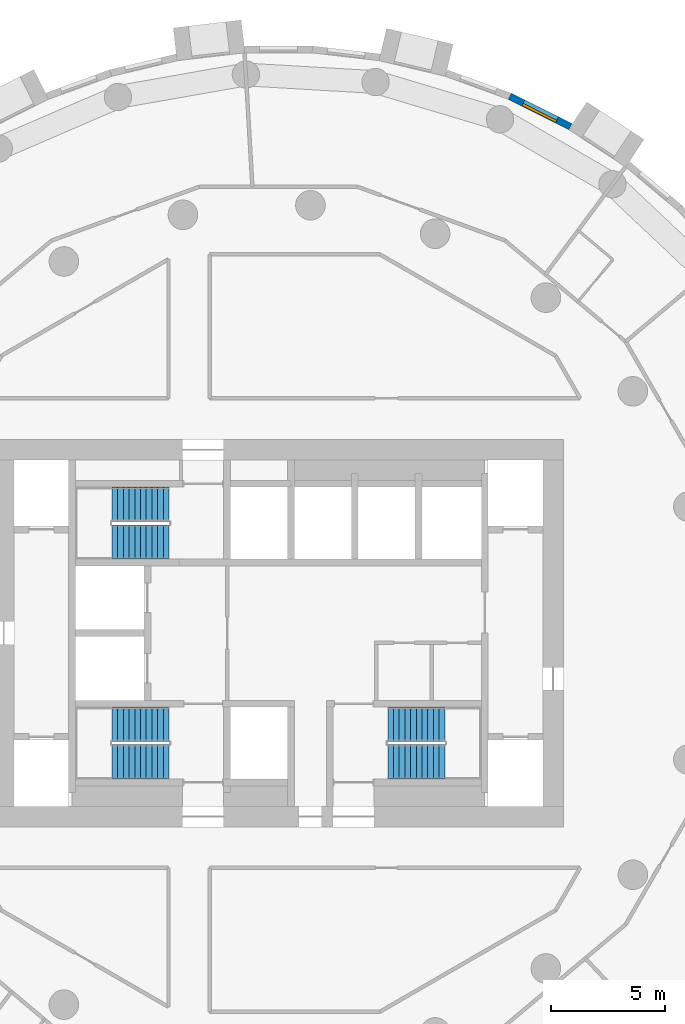
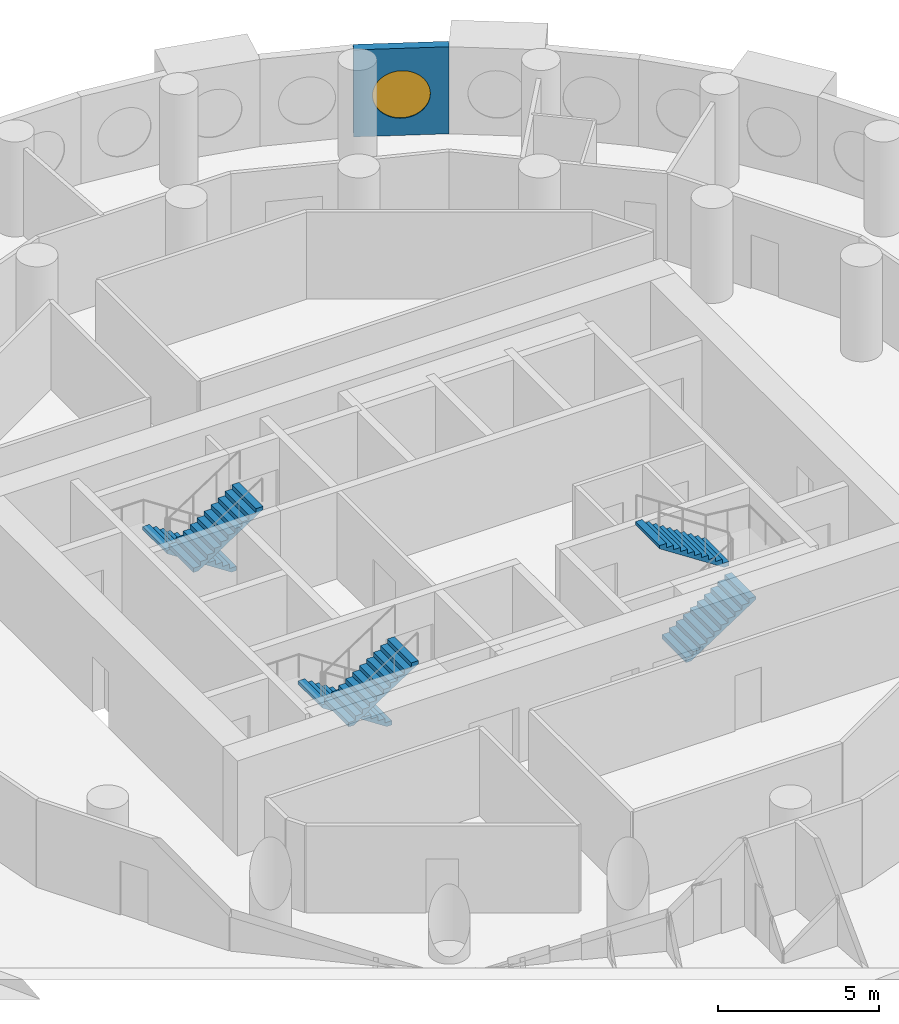
# One storey, part 8 of 9: 6 stair flights, 1 wall, 1 window, 1 opening, 3 elements without a shape of their own.
"""IFC4 building model written with IfcOpenShell, lengths in metres."""

from ifc_helpers import new_model, si_unit, direction, frame, frame_2d, origin, origin_2d, place, context, subcontext, project, spatial, polyline, rectangle, circle, outline, extrude, material, layer, layer_set, type_object, element, fill, aggregate, save


model = new_model("IFC4")

# Units and contexts
model_context = context("Model", 3, precision=1e-05, world=origin(), true_north=direction((0.0, 1.0)))
body_context = subcontext(model_context, "Body", "Model", "MODEL_VIEW")
ifc_project = project(units=[si_unit("LENGTHUNIT", "METRE"), si_unit("AREAUNIT", "SQUARE_METRE"), si_unit("VOLUMEUNIT", "CUBIC_METRE"), si_unit("PLANEANGLEUNIT", "RADIAN"), si_unit("MASSUNIT", "GRAM", prefix="KILO")], contexts=[model_context])

# Site, building, storey
site_placement = place(None, origin())
site = spatial("IfcSite", under=ifc_project, at=site_placement, CompositionType="ELEMENT")
building_placement = place(site_placement, origin())
building = spatial("IfcBuilding", under=site, at=building_placement, Name="Tracery Tower", CompositionType="ELEMENT")
storey_placement = place(building_placement, frame((0.0, 0.0, 187.199951171875)))
storey = spatial("IfcBuildingStorey", under=building, at=storey_placement, Name="L48", CompositionType="ELEMENT", Elevation=187.199951171875)

# Wall, opening, window
ifc_material_1 = material(Name="Precast concrete C50/60", Category="concrete")
ifc_layer = layer(ifc_material_1, 0.300048828125)
ifc_layer_set = layer_set([ifc_layer], Name="Facade panel 3000 x 3300")
wall_type = type_object("IfcWallType", Name="Facade panel 3000 x 3300", PredefinedType="SOLIDWALL", material=ifc_layer_set)
wall_placement = place(storey_placement, frame((12.815185546875, 22.215576171875, 0.0), z_axis=(0.0, 0.0, 1.0), x_axis=(-0.893637442555, 0.448789618045, 0.0)))
wall = element("IfcWall", 1, at=wall_placement, inside=storey, type_object=wall_type, Name="Facade panel 10 at L48", PredefinedType="SOLIDWALL", context=body_context, shape_type="SweptSolid", body=[
    extrude(rectangle(XDim=2.972900390625, YDim=0.300048828125, at=frame_2d((1.486328125, 0.0))), origin(), (0.0, 0.0, 1.0), 3.300048828125),
])
opening_placement = place(wall_placement, frame((1.486328125, 0.0, 1.5498046875)))
opening = element("IfcOpeningElement", 2, at=opening_placement, cuts=wall, Name="Opening WN1", PredefinedType="OPENING", context=body_context, shape_type="SweptSolid", body=[
    extrude(circle(Radius=0.9000244140625, at=origin_2d()), frame((0.0, 0.159912109375, 0.0), z_axis=(0.0, -1.0, 0.0), x_axis=(1.0, 0.0, 0.0)), (0.0, 0.0, 1.0), 0.320068359375),
])
ifc_material_2 = material(Name="Aluminium frame with tinted double glazing", Category="aluminium")
window_type = type_object("IfcWindowType", Name="Round window 1800", PartitioningType="SINGLE_PANEL", PredefinedType="WINDOW", material=ifc_material_2)
window_placement = place(opening_placement, origin())
window = element("IfcWindow", 3, at=window_placement, inside=storey, type_object=window_type, Name="Round window 10 at L48", OverallHeight=1.800048828125, OverallWidth=1.800048828125, PartitioningType="SINGLE_PANEL", PredefinedType="WINDOW", context=body_context, shape_type="SweptSolid", body=[
    extrude(circle(Radius=0.9000244140625, at=origin_2d()), frame((0.0, 0.1201171875, 0.0), z_axis=(0.0, -1.0, 0.0), x_axis=(1.0, 0.0, 0.0)), (0.0, 0.0, 1.0), 0.10009765625),
])
fill(opening, window)

# Stair, stair flights
ifc_material_3 = material(Name="Concrete C32/40", Category="concrete")
stair_type = type_object("IfcStairType", Name="Core stair 22 risers", PredefinedType="HALF_TURN_STAIR", material=ifc_material_3)
stair_1_placement = place(storey_placement, origin())
stair_1 = element("IfcStair", 4, at=stair_1_placement, inside=storey, type_object=stair_type, Name="L48 stair ST1", PredefinedType="HALF_TURN_STAIR")
ifc_material_4 = material(Name="Concrete C32/40", Category="concrete")
stair_flight_type = type_object("IfcStairFlightType", Name="Core stair flight 11 risers", PredefinedType="STRAIGHT", material=ifc_material_4)
stair_flight_1_placement = place(storey_placement, frame((-4.800048828125, -4.0, 0.0), z_axis=(0.0, 0.0, 1.0), x_axis=(-1.0, 0.0, 0.0)))
stair_flight_1 = element("IfcStairFlight", 5, at=stair_flight_1_placement, type_object=stair_flight_type, Name="ST1 flight 1", NumberOfRisers=11, NumberOfTreads=10, PredefinedType="STRAIGHT", RiserHeight=0.163636364, TreadLength=0.25, context=body_context, shape_type="SweptSolid", body=[
    extrude(outline(polyline([(0.0, 0.0), (0.0, 0.002685546875), (0.0, 0.00537109375), (0.0, 0.008056640625), (0.0, 0.0107421875), (0.0, 0.013427734375), (0.0, 0.01611328125), (0.0, 0.018798828125), (0.0, 0.021484375), (0.0, 0.024169921875), (0.0, 0.02685546875), (0.0, 0.029541015625), (0.0, 0.0322265625), (0.0, 0.034912109375), (0.0, 0.03759765625), (0.0, 0.040283203125), (0.0, 0.04296875), (0.0, 0.045654296875), (0.0, 0.04833984375), (0.0, 0.051025390625), (0.0, 0.0537109375), (0.0, 0.056396484375), (0.0, 0.05908203125), (0.0, 0.061767578125), (0.0, 0.064453125), (0.0, 0.067138671875), (0.0, 0.06982421875), (0.0, 0.072509765625), (0.0, 0.0751953125), (0.0, 0.077880859375), (0.0, 0.08056640625), (0.0, 0.083251953125), (0.0, 0.0859375), (0.0, 0.088623046875), (0.0, 0.09130859375), (0.0, 0.093994140625), (0.0, 0.0966796875), (0.0, 0.099365234375), (0.0, 0.10205078125), (0.0, 0.104736328125), (0.0, 0.107421875), (0.0, 0.10986328125), (0.0, 0.112548828125), (0.0, 0.115234375), (0.0, 0.117919921875), (0.0, 0.12060546875), (0.0, 0.123291015625), (0.0, 0.1259765625), (0.0, 0.128662109375), (0.0, 0.13134765625), (0.0, 0.134033203125), (0.0, 0.13671875), (0.0, 0.139404296875), (0.0, 0.14208984375), (0.0, 0.144775390625), (0.0, 0.1474609375), (0.0, 0.150146484375), (0.0, 0.15283203125), (0.0, 0.155517578125), (0.0, 0.158203125), (0.0, 0.160888671875), (0.0, 0.16357421875), (0.25, 0.16357421875), (0.25, 0.327392578125), (0.5, 0.327392578125), (0.5, 0.490966796875), (0.75, 0.490966796875), (0.75, 0.654541015625), (1.0, 0.654541015625), (1.0, 0.818115234375), (1.25, 0.818115234375), (1.25, 0.98193359375), (1.5, 0.98193359375), (1.5, 1.1455078125), (1.75, 1.1455078125), (1.75, 1.30908203125), (2.0, 1.30908203125), (2.0, 1.47265625), (2.25, 1.47265625), (2.25, 1.636474609375), (2.5, 1.636474609375), (2.5, 1.634521484375), (2.5, 1.63232421875), (2.5, 1.63037109375), (2.5, 1.62841796875), (2.5, 1.62646484375), (2.5, 1.62451171875), (2.5, 1.62255859375), (2.5, 1.62060546875), (2.5, 1.61865234375), (2.5, 1.61669921875), (2.5, 1.61474609375), (2.5, 1.61279296875), (2.5, 1.61083984375), (2.5, 1.60888671875), (2.5, 1.60693359375), (2.5, 1.60498046875), (2.5, 1.60302734375), (2.5, 1.60107421875), (2.5, 1.59912109375), (2.5, 1.59716796875), (2.5, 1.59521484375), (2.5, 1.59326171875), (2.5, 1.59130859375), (2.5, 1.58935546875), (2.5, 1.58740234375), (2.5, 1.58544921875), (2.5, 1.58349609375), (2.5, 1.58154296875), (2.5, 1.57958984375), (2.5, 1.57763671875), (2.5, 1.57568359375), (2.5, 1.573486328125), (2.5, 1.571533203125), (2.5, 1.569580078125), (2.5, 1.567626953125), (2.5, 1.565673828125), (2.5, 1.563720703125), (2.5, 1.561767578125), (2.5, 1.559814453125), (2.5, 1.557861328125), (2.5, 1.555908203125), (2.5, 1.553955078125), (2.5, 1.552001953125), (2.5, 1.550048828125), (2.5, 1.548095703125), (2.5, 1.546142578125), (2.5, 1.544189453125), (2.5, 1.542236328125), (2.5, 1.540283203125), (2.5, 1.538330078125), (2.5, 1.536376953125), (2.5, 1.534423828125), (2.5, 1.532470703125), (2.5, 1.530517578125), (2.5, 1.528564453125), (2.5, 1.526611328125), (2.5, 1.524658203125), (2.5, 1.522705078125), (2.5, 1.520751953125), (2.5, 1.518798828125), (2.5, 1.516845703125), (0.182861328125, 0.0), (0.0, 0.0)])), frame((0.0, 0.75, 0.0), z_axis=(0.0, -1.0, 0.0), x_axis=(1.0, 0.0, 0.0)), (0.0, 0.0, 1.0), 1.5),
])
stair_flight_2_placement = place(storey_placement, frame((-7.300048828125, -5.64990234375, 1.800048828125), z_axis=(0.0, 0.0, 1.0), x_axis=(1.0, 0.0, 0.0)))
stair_flight_2 = element("IfcStairFlight", 6, at=stair_flight_2_placement, type_object=stair_flight_type, Name="ST1 flight 2", NumberOfRisers=11, NumberOfTreads=10, PredefinedType="STRAIGHT", RiserHeight=0.163636364, TreadLength=0.25, context=body_context, shape_type="SweptSolid", body=[
    extrude(outline(polyline([(0.0, 0.0), (0.0, 0.002685546875), (0.0, 0.00537109375), (0.0, 0.008056640625), (0.0, 0.0107421875), (0.0, 0.013427734375), (0.0, 0.01611328125), (0.0, 0.018798828125), (0.0, 0.021484375), (0.0, 0.024169921875), (0.0, 0.02685546875), (0.0, 0.029541015625), (0.0, 0.0322265625), (0.0, 0.034912109375), (0.0, 0.03759765625), (0.0, 0.040283203125), (0.0, 0.04296875), (0.0, 0.045654296875), (0.0, 0.04833984375), (0.0, 0.051025390625), (0.0, 0.0537109375), (0.0, 0.056396484375), (0.0, 0.05908203125), (0.0, 0.061767578125), (0.0, 0.064453125), (0.0, 0.067138671875), (0.0, 0.06982421875), (0.0, 0.072509765625), (0.0, 0.0751953125), (0.0, 0.077880859375), (0.0, 0.08056640625), (0.0, 0.083251953125), (0.0, 0.0859375), (0.0, 0.088623046875), (0.0, 0.09130859375), (0.0, 0.093994140625), (0.0, 0.0966796875), (0.0, 0.099365234375), (0.0, 0.10205078125), (0.0, 0.104736328125), (0.0, 0.107421875), (0.0, 0.10986328125), (0.0, 0.112548828125), (0.0, 0.115234375), (0.0, 0.117919921875), (0.0, 0.12060546875), (0.0, 0.123291015625), (0.0, 0.1259765625), (0.0, 0.128662109375), (0.0, 0.13134765625), (0.0, 0.134033203125), (0.0, 0.13671875), (0.0, 0.139404296875), (0.0, 0.14208984375), (0.0, 0.144775390625), (0.0, 0.1474609375), (0.0, 0.150146484375), (0.0, 0.15283203125), (0.0, 0.155517578125), (0.0, 0.158203125), (0.0, 0.160888671875), (0.0, 0.16357421875), (0.25, 0.16357421875), (0.25, 0.327392578125), (0.5, 0.327392578125), (0.5, 0.490966796875), (0.75, 0.490966796875), (0.75, 0.654541015625), (1.0, 0.654541015625), (1.0, 0.818115234375), (1.25, 0.818115234375), (1.25, 0.98193359375), (1.5, 0.98193359375), (1.5, 1.1455078125), (1.75, 1.1455078125), (1.75, 1.30908203125), (2.0, 1.30908203125), (2.0, 1.47265625), (2.25, 1.47265625), (2.25, 1.636474609375), (2.5, 1.636474609375), (2.5, 1.634521484375), (2.5, 1.63232421875), (2.5, 1.63037109375), (2.5, 1.62841796875), (2.5, 1.62646484375), (2.5, 1.62451171875), (2.5, 1.62255859375), (2.5, 1.62060546875), (2.5, 1.61865234375), (2.5, 1.61669921875), (2.5, 1.61474609375), (2.5, 1.61279296875), (2.5, 1.61083984375), (2.5, 1.60888671875), (2.5, 1.60693359375), (2.5, 1.60498046875), (2.5, 1.60302734375), (2.5, 1.60107421875), (2.5, 1.59912109375), (2.5, 1.59716796875), (2.5, 1.59521484375), (2.5, 1.59326171875), (2.5, 1.59130859375), (2.5, 1.58935546875), (2.5, 1.58740234375), (2.5, 1.58544921875), (2.5, 1.58349609375), (2.5, 1.58154296875), (2.5, 1.57958984375), (2.5, 1.57763671875), (2.5, 1.57568359375), (2.5, 1.573486328125), (2.5, 1.571533203125), (2.5, 1.569580078125), (2.5, 1.567626953125), (2.5, 1.565673828125), (2.5, 1.563720703125), (2.5, 1.561767578125), (2.5, 1.559814453125), (2.5, 1.557861328125), (2.5, 1.555908203125), (2.5, 1.553955078125), (2.5, 1.552001953125), (2.5, 1.550048828125), (2.5, 1.548095703125), (2.5, 1.546142578125), (2.5, 1.544189453125), (2.5, 1.542236328125), (2.5, 1.540283203125), (2.5, 1.538330078125), (2.5, 1.536376953125), (2.5, 1.534423828125), (2.5, 1.532470703125), (2.5, 1.530517578125), (2.5, 1.528564453125), (2.5, 1.526611328125), (2.5, 1.524658203125), (2.5, 1.522705078125), (2.5, 1.520751953125), (2.5, 1.518798828125), (2.5, 1.516845703125), (0.182861328125, 0.0), (0.0, 0.0)])), frame((0.0, 0.75, 0.0), z_axis=(0.0, -1.0, 0.0), x_axis=(1.0, 0.0, 0.0)), (0.0, 0.0, 1.0), 1.5),
])
aggregate(stair_1, [stair_flight_1, stair_flight_2])

stair_2_placement = place(storey_placement, origin())
stair_2 = element("IfcStair", 7, at=stair_2_placement, inside=storey, type_object=stair_type, Name="L48 stair ST3", PredefinedType="HALF_TURN_STAIR")
stair_flight_3_placement = place(storey_placement, frame((-4.800048828125, 5.64990234375, 0.0), z_axis=(0.0, 0.0, 1.0), x_axis=(-1.0, 0.0, 0.0)))
stair_flight_3 = element("IfcStairFlight", 8, at=stair_flight_3_placement, type_object=stair_flight_type, Name="ST3 flight 1", NumberOfRisers=11, NumberOfTreads=10, PredefinedType="STRAIGHT", RiserHeight=0.163636364, TreadLength=0.25, context=body_context, shape_type="SweptSolid", body=[
    extrude(outline(polyline([(0.0, 0.0), (0.0, 0.002685546875), (0.0, 0.00537109375), (0.0, 0.008056640625), (0.0, 0.0107421875), (0.0, 0.013427734375), (0.0, 0.01611328125), (0.0, 0.018798828125), (0.0, 0.021484375), (0.0, 0.024169921875), (0.0, 0.02685546875), (0.0, 0.029541015625), (0.0, 0.0322265625), (0.0, 0.034912109375), (0.0, 0.03759765625), (0.0, 0.040283203125), (0.0, 0.04296875), (0.0, 0.045654296875), (0.0, 0.04833984375), (0.0, 0.051025390625), (0.0, 0.0537109375), (0.0, 0.056396484375), (0.0, 0.05908203125), (0.0, 0.061767578125), (0.0, 0.064453125), (0.0, 0.067138671875), (0.0, 0.06982421875), (0.0, 0.072509765625), (0.0, 0.0751953125), (0.0, 0.077880859375), (0.0, 0.08056640625), (0.0, 0.083251953125), (0.0, 0.0859375), (0.0, 0.088623046875), (0.0, 0.09130859375), (0.0, 0.093994140625), (0.0, 0.0966796875), (0.0, 0.099365234375), (0.0, 0.10205078125), (0.0, 0.104736328125), (0.0, 0.107421875), (0.0, 0.10986328125), (0.0, 0.112548828125), (0.0, 0.115234375), (0.0, 0.117919921875), (0.0, 0.12060546875), (0.0, 0.123291015625), (0.0, 0.1259765625), (0.0, 0.128662109375), (0.0, 0.13134765625), (0.0, 0.134033203125), (0.0, 0.13671875), (0.0, 0.139404296875), (0.0, 0.14208984375), (0.0, 0.144775390625), (0.0, 0.1474609375), (0.0, 0.150146484375), (0.0, 0.15283203125), (0.0, 0.155517578125), (0.0, 0.158203125), (0.0, 0.160888671875), (0.0, 0.16357421875), (0.25, 0.16357421875), (0.25, 0.327392578125), (0.5, 0.327392578125), (0.5, 0.490966796875), (0.75, 0.490966796875), (0.75, 0.654541015625), (1.0, 0.654541015625), (1.0, 0.818115234375), (1.25, 0.818115234375), (1.25, 0.98193359375), (1.5, 0.98193359375), (1.5, 1.1455078125), (1.75, 1.1455078125), (1.75, 1.30908203125), (2.0, 1.30908203125), (2.0, 1.47265625), (2.25, 1.47265625), (2.25, 1.636474609375), (2.5, 1.636474609375), (2.5, 1.634521484375), (2.5, 1.63232421875), (2.5, 1.63037109375), (2.5, 1.62841796875), (2.5, 1.62646484375), (2.5, 1.62451171875), (2.5, 1.62255859375), (2.5, 1.62060546875), (2.5, 1.61865234375), (2.5, 1.61669921875), (2.5, 1.61474609375), (2.5, 1.61279296875), (2.5, 1.61083984375), (2.5, 1.60888671875), (2.5, 1.60693359375), (2.5, 1.60498046875), (2.5, 1.60302734375), (2.5, 1.60107421875), (2.5, 1.59912109375), (2.5, 1.59716796875), (2.5, 1.59521484375), (2.5, 1.59326171875), (2.5, 1.59130859375), (2.5, 1.58935546875), (2.5, 1.58740234375), (2.5, 1.58544921875), (2.5, 1.58349609375), (2.5, 1.58154296875), (2.5, 1.57958984375), (2.5, 1.57763671875), (2.5, 1.57568359375), (2.5, 1.573486328125), (2.5, 1.571533203125), (2.5, 1.569580078125), (2.5, 1.567626953125), (2.5, 1.565673828125), (2.5, 1.563720703125), (2.5, 1.561767578125), (2.5, 1.559814453125), (2.5, 1.557861328125), (2.5, 1.555908203125), (2.5, 1.553955078125), (2.5, 1.552001953125), (2.5, 1.550048828125), (2.5, 1.548095703125), (2.5, 1.546142578125), (2.5, 1.544189453125), (2.5, 1.542236328125), (2.5, 1.540283203125), (2.5, 1.538330078125), (2.5, 1.536376953125), (2.5, 1.534423828125), (2.5, 1.532470703125), (2.5, 1.530517578125), (2.5, 1.528564453125), (2.5, 1.526611328125), (2.5, 1.524658203125), (2.5, 1.522705078125), (2.5, 1.520751953125), (2.5, 1.518798828125), (2.5, 1.516845703125), (0.182861328125, 0.0), (0.0, 0.0)])), frame((0.0, 0.75, 0.0), z_axis=(0.0, -1.0, 0.0), x_axis=(1.0, 0.0, 0.0)), (0.0, 0.0, 1.0), 1.5),
])
stair_flight_4_placement = place(storey_placement, frame((-7.300048828125, 4.0, 1.800048828125), z_axis=(0.0, 0.0, 1.0), x_axis=(1.0, 0.0, 0.0)))
stair_flight_4 = element("IfcStairFlight", 9, at=stair_flight_4_placement, type_object=stair_flight_type, Name="ST3 flight 2", NumberOfRisers=11, NumberOfTreads=10, PredefinedType="STRAIGHT", RiserHeight=0.163636364, TreadLength=0.25, context=body_context, shape_type="SweptSolid", body=[
    extrude(outline(polyline([(0.0, 0.0), (0.0, 0.002685546875), (0.0, 0.00537109375), (0.0, 0.008056640625), (0.0, 0.0107421875), (0.0, 0.013427734375), (0.0, 0.01611328125), (0.0, 0.018798828125), (0.0, 0.021484375), (0.0, 0.024169921875), (0.0, 0.02685546875), (0.0, 0.029541015625), (0.0, 0.0322265625), (0.0, 0.034912109375), (0.0, 0.03759765625), (0.0, 0.040283203125), (0.0, 0.04296875), (0.0, 0.045654296875), (0.0, 0.04833984375), (0.0, 0.051025390625), (0.0, 0.0537109375), (0.0, 0.056396484375), (0.0, 0.05908203125), (0.0, 0.061767578125), (0.0, 0.064453125), (0.0, 0.067138671875), (0.0, 0.06982421875), (0.0, 0.072509765625), (0.0, 0.0751953125), (0.0, 0.077880859375), (0.0, 0.08056640625), (0.0, 0.083251953125), (0.0, 0.0859375), (0.0, 0.088623046875), (0.0, 0.09130859375), (0.0, 0.093994140625), (0.0, 0.0966796875), (0.0, 0.099365234375), (0.0, 0.10205078125), (0.0, 0.104736328125), (0.0, 0.107421875), (0.0, 0.10986328125), (0.0, 0.112548828125), (0.0, 0.115234375), (0.0, 0.117919921875), (0.0, 0.12060546875), (0.0, 0.123291015625), (0.0, 0.1259765625), (0.0, 0.128662109375), (0.0, 0.13134765625), (0.0, 0.134033203125), (0.0, 0.13671875), (0.0, 0.139404296875), (0.0, 0.14208984375), (0.0, 0.144775390625), (0.0, 0.1474609375), (0.0, 0.150146484375), (0.0, 0.15283203125), (0.0, 0.155517578125), (0.0, 0.158203125), (0.0, 0.160888671875), (0.0, 0.16357421875), (0.25, 0.16357421875), (0.25, 0.327392578125), (0.5, 0.327392578125), (0.5, 0.490966796875), (0.75, 0.490966796875), (0.75, 0.654541015625), (1.0, 0.654541015625), (1.0, 0.818115234375), (1.25, 0.818115234375), (1.25, 0.98193359375), (1.5, 0.98193359375), (1.5, 1.1455078125), (1.75, 1.1455078125), (1.75, 1.30908203125), (2.0, 1.30908203125), (2.0, 1.47265625), (2.25, 1.47265625), (2.25, 1.636474609375), (2.5, 1.636474609375), (2.5, 1.634521484375), (2.5, 1.63232421875), (2.5, 1.63037109375), (2.5, 1.62841796875), (2.5, 1.62646484375), (2.5, 1.62451171875), (2.5, 1.62255859375), (2.5, 1.62060546875), (2.5, 1.61865234375), (2.5, 1.61669921875), (2.5, 1.61474609375), (2.5, 1.61279296875), (2.5, 1.61083984375), (2.5, 1.60888671875), (2.5, 1.60693359375), (2.5, 1.60498046875), (2.5, 1.60302734375), (2.5, 1.60107421875), (2.5, 1.59912109375), (2.5, 1.59716796875), (2.5, 1.59521484375), (2.5, 1.59326171875), (2.5, 1.59130859375), (2.5, 1.58935546875), (2.5, 1.58740234375), (2.5, 1.58544921875), (2.5, 1.58349609375), (2.5, 1.58154296875), (2.5, 1.57958984375), (2.5, 1.57763671875), (2.5, 1.57568359375), (2.5, 1.573486328125), (2.5, 1.571533203125), (2.5, 1.569580078125), (2.5, 1.567626953125), (2.5, 1.565673828125), (2.5, 1.563720703125), (2.5, 1.561767578125), (2.5, 1.559814453125), (2.5, 1.557861328125), (2.5, 1.555908203125), (2.5, 1.553955078125), (2.5, 1.552001953125), (2.5, 1.550048828125), (2.5, 1.548095703125), (2.5, 1.546142578125), (2.5, 1.544189453125), (2.5, 1.542236328125), (2.5, 1.540283203125), (2.5, 1.538330078125), (2.5, 1.536376953125), (2.5, 1.534423828125), (2.5, 1.532470703125), (2.5, 1.530517578125), (2.5, 1.528564453125), (2.5, 1.526611328125), (2.5, 1.524658203125), (2.5, 1.522705078125), (2.5, 1.520751953125), (2.5, 1.518798828125), (2.5, 1.516845703125), (0.182861328125, 0.0), (0.0, 0.0)])), frame((0.0, 0.75, 0.0), z_axis=(0.0, -1.0, 0.0), x_axis=(1.0, 0.0, 0.0)), (0.0, 0.0, 1.0), 1.5),
])
aggregate(stair_2, [stair_flight_3, stair_flight_4])

stair_3_placement = place(storey_placement, origin())
stair_3 = element("IfcStair", 10, at=stair_3_placement, inside=storey, type_object=stair_type, Name="L48 stair ST2", PredefinedType="HALF_TURN_STAIR")
stair_flight_5_placement = place(storey_placement, frame((4.800048828125, -5.64990234375, 0.0), z_axis=(0.0, 0.0, 1.0), x_axis=(1.0, 0.0, 0.0)))
stair_flight_5 = element("IfcStairFlight", 11, at=stair_flight_5_placement, type_object=stair_flight_type, Name="ST2 flight 1", NumberOfRisers=11, NumberOfTreads=10, PredefinedType="STRAIGHT", RiserHeight=0.163636364, TreadLength=0.25, context=body_context, shape_type="SweptSolid", body=[
    extrude(outline(polyline([(0.0, 0.0), (0.0, 0.002685546875), (0.0, 0.00537109375), (0.0, 0.008056640625), (0.0, 0.0107421875), (0.0, 0.013427734375), (0.0, 0.01611328125), (0.0, 0.018798828125), (0.0, 0.021484375), (0.0, 0.024169921875), (0.0, 0.02685546875), (0.0, 0.029541015625), (0.0, 0.0322265625), (0.0, 0.034912109375), (0.0, 0.03759765625), (0.0, 0.040283203125), (0.0, 0.04296875), (0.0, 0.045654296875), (0.0, 0.04833984375), (0.0, 0.051025390625), (0.0, 0.0537109375), (0.0, 0.056396484375), (0.0, 0.05908203125), (0.0, 0.061767578125), (0.0, 0.064453125), (0.0, 0.067138671875), (0.0, 0.06982421875), (0.0, 0.072509765625), (0.0, 0.0751953125), (0.0, 0.077880859375), (0.0, 0.08056640625), (0.0, 0.083251953125), (0.0, 0.0859375), (0.0, 0.088623046875), (0.0, 0.09130859375), (0.0, 0.093994140625), (0.0, 0.0966796875), (0.0, 0.099365234375), (0.0, 0.10205078125), (0.0, 0.104736328125), (0.0, 0.107421875), (0.0, 0.10986328125), (0.0, 0.112548828125), (0.0, 0.115234375), (0.0, 0.117919921875), (0.0, 0.12060546875), (0.0, 0.123291015625), (0.0, 0.1259765625), (0.0, 0.128662109375), (0.0, 0.13134765625), (0.0, 0.134033203125), (0.0, 0.13671875), (0.0, 0.139404296875), (0.0, 0.14208984375), (0.0, 0.144775390625), (0.0, 0.1474609375), (0.0, 0.150146484375), (0.0, 0.15283203125), (0.0, 0.155517578125), (0.0, 0.158203125), (0.0, 0.160888671875), (0.0, 0.16357421875), (0.25, 0.16357421875), (0.25, 0.327392578125), (0.5, 0.327392578125), (0.5, 0.490966796875), (0.75, 0.490966796875), (0.75, 0.654541015625), (1.0, 0.654541015625), (1.0, 0.818115234375), (1.25, 0.818115234375), (1.25, 0.98193359375), (1.5, 0.98193359375), (1.5, 1.1455078125), (1.75, 1.1455078125), (1.75, 1.30908203125), (2.0, 1.30908203125), (2.0, 1.47265625), (2.25, 1.47265625), (2.25, 1.636474609375), (2.5, 1.636474609375), (2.5, 1.634521484375), (2.5, 1.63232421875), (2.5, 1.63037109375), (2.5, 1.62841796875), (2.5, 1.62646484375), (2.5, 1.62451171875), (2.5, 1.62255859375), (2.5, 1.62060546875), (2.5, 1.61865234375), (2.5, 1.61669921875), (2.5, 1.61474609375), (2.5, 1.61279296875), (2.5, 1.61083984375), (2.5, 1.60888671875), (2.5, 1.60693359375), (2.5, 1.60498046875), (2.5, 1.60302734375), (2.5, 1.60107421875), (2.5, 1.59912109375), (2.5, 1.59716796875), (2.5, 1.59521484375), (2.5, 1.59326171875), (2.5, 1.59130859375), (2.5, 1.58935546875), (2.5, 1.58740234375), (2.5, 1.58544921875), (2.5, 1.58349609375), (2.5, 1.58154296875), (2.5, 1.57958984375), (2.5, 1.57763671875), (2.5, 1.57568359375), (2.5, 1.573486328125), (2.5, 1.571533203125), (2.5, 1.569580078125), (2.5, 1.567626953125), (2.5, 1.565673828125), (2.5, 1.563720703125), (2.5, 1.561767578125), (2.5, 1.559814453125), (2.5, 1.557861328125), (2.5, 1.555908203125), (2.5, 1.553955078125), (2.5, 1.552001953125), (2.5, 1.550048828125), (2.5, 1.548095703125), (2.5, 1.546142578125), (2.5, 1.544189453125), (2.5, 1.542236328125), (2.5, 1.540283203125), (2.5, 1.538330078125), (2.5, 1.536376953125), (2.5, 1.534423828125), (2.5, 1.532470703125), (2.5, 1.530517578125), (2.5, 1.528564453125), (2.5, 1.526611328125), (2.5, 1.524658203125), (2.5, 1.522705078125), (2.5, 1.520751953125), (2.5, 1.518798828125), (2.5, 1.516845703125), (0.182861328125, 0.0), (0.0, 0.0)])), frame((0.0, 0.75, 0.0), z_axis=(0.0, -1.0, 0.0), x_axis=(1.0, 0.0, 0.0)), (0.0, 0.0, 1.0), 1.5),
])
stair_flight_6_placement = place(storey_placement, frame((7.300048828125, -4.0, 1.800048828125), z_axis=(0.0, 0.0, 1.0), x_axis=(-1.0, 0.0, 0.0)))
stair_flight_6 = element("IfcStairFlight", 12, at=stair_flight_6_placement, type_object=stair_flight_type, Name="ST2 flight 2", NumberOfRisers=11, NumberOfTreads=10, PredefinedType="STRAIGHT", RiserHeight=0.163636364, TreadLength=0.25, context=body_context, shape_type="SweptSolid", body=[
    extrude(outline(polyline([(0.0, 0.0), (0.0, 0.002685546875), (0.0, 0.00537109375), (0.0, 0.008056640625), (0.0, 0.0107421875), (0.0, 0.013427734375), (0.0, 0.01611328125), (0.0, 0.018798828125), (0.0, 0.021484375), (0.0, 0.024169921875), (0.0, 0.02685546875), (0.0, 0.029541015625), (0.0, 0.0322265625), (0.0, 0.034912109375), (0.0, 0.03759765625), (0.0, 0.040283203125), (0.0, 0.04296875), (0.0, 0.045654296875), (0.0, 0.04833984375), (0.0, 0.051025390625), (0.0, 0.0537109375), (0.0, 0.056396484375), (0.0, 0.05908203125), (0.0, 0.061767578125), (0.0, 0.064453125), (0.0, 0.067138671875), (0.0, 0.06982421875), (0.0, 0.072509765625), (0.0, 0.0751953125), (0.0, 0.077880859375), (0.0, 0.08056640625), (0.0, 0.083251953125), (0.0, 0.0859375), (0.0, 0.088623046875), (0.0, 0.09130859375), (0.0, 0.093994140625), (0.0, 0.0966796875), (0.0, 0.099365234375), (0.0, 0.10205078125), (0.0, 0.104736328125), (0.0, 0.107421875), (0.0, 0.10986328125), (0.0, 0.112548828125), (0.0, 0.115234375), (0.0, 0.117919921875), (0.0, 0.12060546875), (0.0, 0.123291015625), (0.0, 0.1259765625), (0.0, 0.128662109375), (0.0, 0.13134765625), (0.0, 0.134033203125), (0.0, 0.13671875), (0.0, 0.139404296875), (0.0, 0.14208984375), (0.0, 0.144775390625), (0.0, 0.1474609375), (0.0, 0.150146484375), (0.0, 0.15283203125), (0.0, 0.155517578125), (0.0, 0.158203125), (0.0, 0.160888671875), (0.0, 0.16357421875), (0.25, 0.16357421875), (0.25, 0.327392578125), (0.5, 0.327392578125), (0.5, 0.490966796875), (0.75, 0.490966796875), (0.75, 0.654541015625), (1.0, 0.654541015625), (1.0, 0.818115234375), (1.25, 0.818115234375), (1.25, 0.98193359375), (1.5, 0.98193359375), (1.5, 1.1455078125), (1.75, 1.1455078125), (1.75, 1.30908203125), (2.0, 1.30908203125), (2.0, 1.47265625), (2.25, 1.47265625), (2.25, 1.636474609375), (2.5, 1.636474609375), (2.5, 1.634521484375), (2.5, 1.63232421875), (2.5, 1.63037109375), (2.5, 1.62841796875), (2.5, 1.62646484375), (2.5, 1.62451171875), (2.5, 1.62255859375), (2.5, 1.62060546875), (2.5, 1.61865234375), (2.5, 1.61669921875), (2.5, 1.61474609375), (2.5, 1.61279296875), (2.5, 1.61083984375), (2.5, 1.60888671875), (2.5, 1.60693359375), (2.5, 1.60498046875), (2.5, 1.60302734375), (2.5, 1.60107421875), (2.5, 1.59912109375), (2.5, 1.59716796875), (2.5, 1.59521484375), (2.5, 1.59326171875), (2.5, 1.59130859375), (2.5, 1.58935546875), (2.5, 1.58740234375), (2.5, 1.58544921875), (2.5, 1.58349609375), (2.5, 1.58154296875), (2.5, 1.57958984375), (2.5, 1.57763671875), (2.5, 1.57568359375), (2.5, 1.573486328125), (2.5, 1.571533203125), (2.5, 1.569580078125), (2.5, 1.567626953125), (2.5, 1.565673828125), (2.5, 1.563720703125), (2.5, 1.561767578125), (2.5, 1.559814453125), (2.5, 1.557861328125), (2.5, 1.555908203125), (2.5, 1.553955078125), (2.5, 1.552001953125), (2.5, 1.550048828125), (2.5, 1.548095703125), (2.5, 1.546142578125), (2.5, 1.544189453125), (2.5, 1.542236328125), (2.5, 1.540283203125), (2.5, 1.538330078125), (2.5, 1.536376953125), (2.5, 1.534423828125), (2.5, 1.532470703125), (2.5, 1.530517578125), (2.5, 1.528564453125), (2.5, 1.526611328125), (2.5, 1.524658203125), (2.5, 1.522705078125), (2.5, 1.520751953125), (2.5, 1.518798828125), (2.5, 1.516845703125), (0.182861328125, 0.0), (0.0, 0.0)])), frame((0.0, 0.75, 0.0), z_axis=(0.0, -1.0, 0.0), x_axis=(1.0, 0.0, 0.0)), (0.0, 0.0, 1.0), 1.5),
])
aggregate(stair_3, [stair_flight_5, stair_flight_6])

save(model, "model.ifc")
